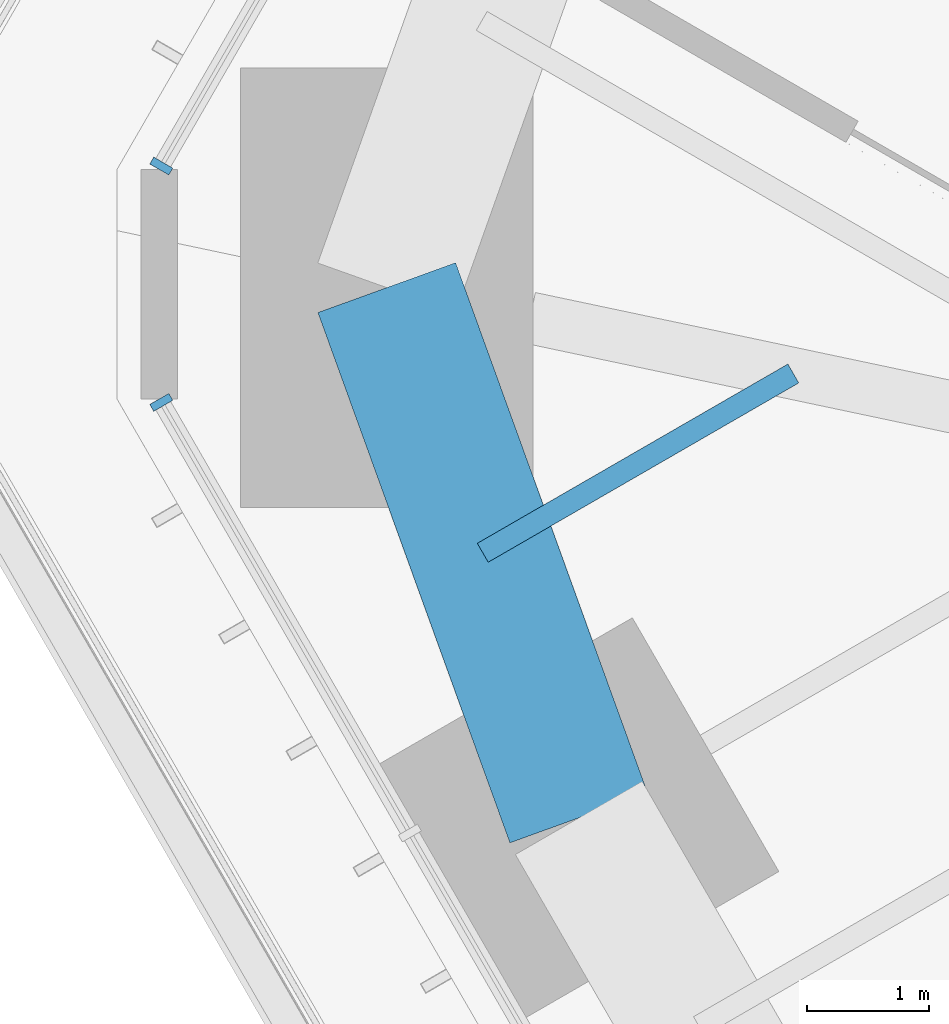
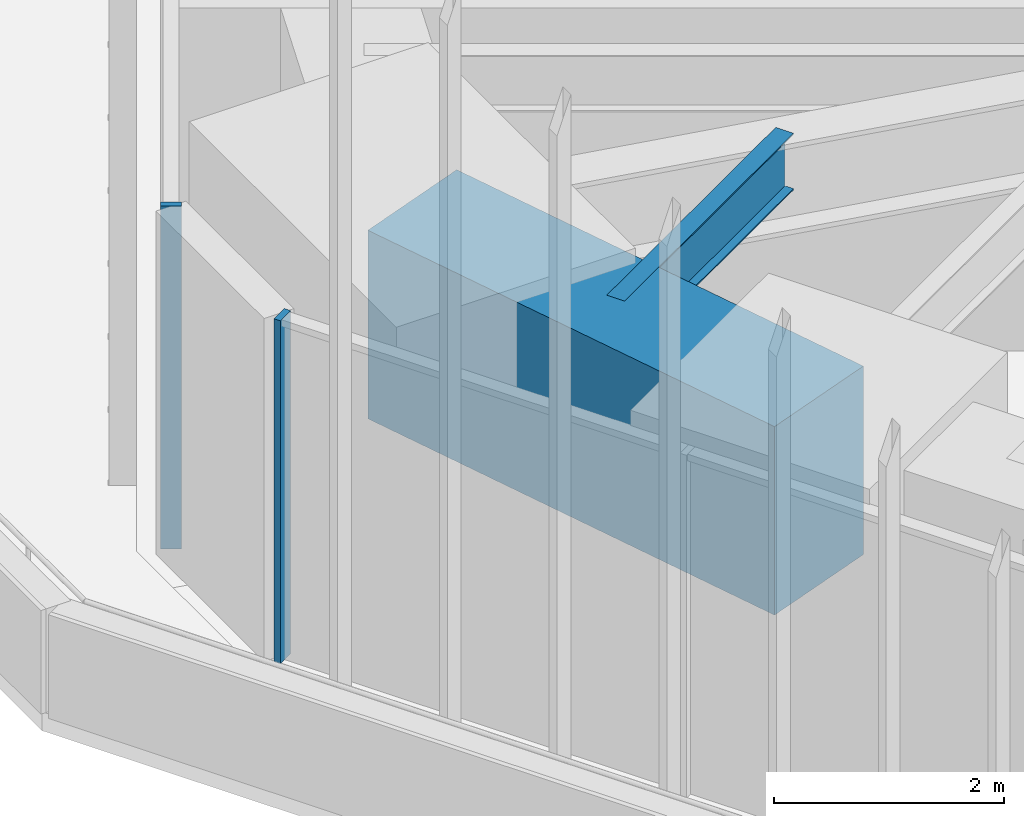
# One storey, part 123 of 238: 2 beams, 2 members, 2 elements without a shape of their own.
"""IFC4 building model written with IfcOpenShell, lengths in metres."""

import ifcopenshell
import ifcopenshell.guid

model = None  # the IFC model being written
_history = None  # IfcOwnerHistory: only IFC2X3 demands one
_inside = {}  # id of a spatial element -> (the spatial element, [elements in it])
_under = {}  # id of a project, library or spatial element -> (it, [spatial elements below it])
_declared = {}  # id of a project -> (the project, [libraries it declares])
_typed = {}  # id of a type object -> (the type object, [elements of that type])
_made_of = {}  # id of a material, layer set ... -> (it, [elements and type objects made of it])


def new_model(schema):
    """Start an empty IFC model of exactly this schema.

    Asked for "IFC4X3", IfcOpenShell would pick the latest addendum, in which some entities
    have other attributes; the version numbers below select the first issue.
    IFC2X3 requires an IfcOwnerHistory on every rooted entity: one is made here for all.
    """
    global model, _history
    if schema == "IFC4X3":
        model = ifcopenshell.file(schema_version=(4, 3, 0, 0))
    else:
        model = ifcopenshell.file(schema=schema)
    _inside.clear()
    _under.clear()
    _declared.clear()
    _typed.clear()
    _made_of.clear()
    _history = None
    if model.schema == "IFC2X3":
        org = make("IfcOrganization", Name="unknown")
        user = make(
            "IfcPersonAndOrganization",
            ThePerson=make("IfcPerson", FamilyName="unknown"),
            TheOrganization=org,
        )
        app = make(
            "IfcApplication",
            ApplicationDeveloper=org,
            Version="unknown",
            ApplicationFullName="unknown",
            ApplicationIdentifier="unknown",
        )
        _history = make(
            "IfcOwnerHistory",
            OwningUser=user,
            OwningApplication=app,
            ChangeAction="ADDED",
            CreationDate=0,
        )
    return model


def make(cls, **values):
    """One entity of the class cls with the attributes given. An attribute that is None is left unset."""
    return model.create_entity(
        cls, **{name: value for name, value in values.items() if value is not None}
    )


def rooted(cls, **values):
    """An entity with a GlobalId (a new one), such as an element, a storey or a relation."""
    return make(cls, GlobalId=ifcopenshell.guid.new(), OwnerHistory=_history, **values)


def si_unit(unit_type, name, prefix=None):
    """IfcSIUnit, for example si_unit("LENGTHUNIT", "METRE", prefix="MILLI")."""
    return make("IfcSIUnit", UnitType=unit_type, Prefix=prefix, Name=name)


def assignment(units):
    """IfcUnitAssignment: the units of a project."""
    return None if units is None else make("IfcUnitAssignment", Units=units)


def point(xyz):
    """IfcCartesianPoint."""
    return None if xyz is None else make("IfcCartesianPoint", Coordinates=xyz)


def direction(xyz):
    """IfcDirection."""
    return None if xyz is None else make("IfcDirection", DirectionRatios=xyz)


def frame(location, z_axis=None, x_axis=None):
    """IfcAxis2Placement3D, a coordinate frame: its origin and axes. An axis left out is left unset."""
    return make(
        "IfcAxis2Placement3D",
        Location=point(location),
        Axis=direction(z_axis),
        RefDirection=direction(x_axis),
    )


def frame_2d(location, x_axis=None):
    """IfcAxis2Placement2D, a coordinate frame in the plane: its origin and x axis."""
    return make(
        "IfcAxis2Placement2D", Location=point(location), RefDirection=direction(x_axis)
    )


def origin():
    """The frame at (0, 0, 0) with its axes left unset."""
    return frame((0.0, 0.0, 0.0))


def origin_2d():
    """The frame at (0, 0) in the plane with its x axis left unset."""
    return frame_2d((0.0, 0.0))


def place(relative_to, where):
    """IfcLocalPlacement: puts the frame where relative to a parent placement (None: the world)."""
    return make(
        "IfcLocalPlacement", PlacementRelTo=relative_to, RelativePlacement=where
    )


def context(
    kind, dimensions, precision=None, world=None, true_north=None, identifier=None
):
    """IfcGeometricRepresentationContext, for example the 3D "Model" context."""
    return make(
        "IfcGeometricRepresentationContext",
        ContextIdentifier=identifier,
        ContextType=kind,
        CoordinateSpaceDimension=dimensions,
        Precision=precision,
        WorldCoordinateSystem=world,
        TrueNorth=true_north,
    )


def subcontext(parent, identifier, kind, view, scale=None):
    """IfcGeometricRepresentationSubContext, for example "Body" below "Model"."""
    return make(
        "IfcGeometricRepresentationSubContext",
        ContextIdentifier=identifier,
        ContextType=kind,
        ParentContext=parent,
        TargetScale=scale,
        TargetView=view,
    )


def project(units=None, contexts=None):
    """IfcProject with its units and contexts."""
    return rooted(
        "IfcProject",
        Name="project",
        RepresentationContexts=contexts,
        UnitsInContext=assignment(units),
    )


def spatial(cls, under=None, at=None, **own):
    """A site, building, storey or space (cls), placed at a placement, below another one or the project."""
    s = rooted(cls, ObjectPlacement=at, **own)
    if under is not None:
        _under.setdefault(under.id(), (under, []))[1].append(s)
    return s


def profile(cls, at=None, kind="AREA", **sizes):
    """A parametric profile (cls). Its sizes go by their IFC names, for example OverallWidth=200.0."""
    return make(cls, ProfileType=kind, Position=at, **sizes)


def rectangle(**sizes):
    """IfcRectangleProfileDef."""
    return profile("IfcRectangleProfileDef", **sizes)


def i_section(**sizes):
    """IfcIShapeProfileDef."""
    return profile("IfcIShapeProfileDef", **sizes)


def extrude(swept, where, along, depth):
    """IfcExtrudedAreaSolid: the profile swept, set in the frame where, extruded along a direction by depth."""
    return make(
        "IfcExtrudedAreaSolid",
        SweptArea=swept,
        Position=where,
        ExtrudedDirection=direction(along),
        Depth=depth,
    )


def shape(context_of_items, identifier, shape_type, items):
    """IfcShapeRepresentation: the items that make up one representation, for example the "Body"."""
    return make(
        "IfcShapeRepresentation",
        ContextOfItems=context_of_items,
        RepresentationIdentifier=identifier,
        RepresentationType=shape_type,
        Items=items,
    )


def material(Name=None, Category=None):
    """IfcMaterial."""
    return make("IfcMaterial", Name=Name, Category=Category)


def material_profile(
    of_material, cross_section, Name=None, Category=None, Priority=None
):
    """IfcMaterialProfile: a cross section and its material."""
    return make(
        "IfcMaterialProfile",
        Name=Name,
        Material=of_material,
        Profile=cross_section,
        Priority=Priority,
        Category=Category,
    )


def profile_set(profiles, Name=None, composite=None):
    """IfcMaterialProfileSet."""
    return make(
        "IfcMaterialProfileSet",
        Name=Name,
        MaterialProfiles=profiles,
        CompositeProfile=composite,
    )


def made_of(thing, what):
    """Note that an element or type object is made of a material, layer set ...; save() writes the relation."""
    if what is not None:
        _made_of.setdefault(what.id(), (what, []))[1].append(thing)
    return thing


def type_object(cls, material=None, **own):
    """A type object (cls), such as IfcWallType, which elements share."""
    return made_of(rooted(cls, **own), material)


def element(
    cls,
    number,
    at=None,
    inside=None,
    cuts=None,
    type_object=None,
    material=None,
    context=None,
    identifier="Body",
    shape_type=None,
    held_by="IfcProductDefinitionShape",
    body=None,
    shapes=None,
    **own,
):
    """One element of the class cls, such as IfcWall. Its Tag is "e" and its number.

    at: its placement. inside: the storey or other place that contains it. cuts: it is an
    opening in that element (IfcRelVoidsElement). A single representation is given by context,
    identifier, shape_type and body (its items); several are given by shapes. held_by: the class
    of the entity that holds the representations. save() writes the other relations.
    """
    e = rooted(cls, Tag="e%d" % number, ObjectPlacement=at, **own)
    if body is not None:
        shapes = [shape(context, identifier, shape_type, body)]
    if shapes is not None:
        e.Representation = make(held_by, Representations=shapes)
    if inside is not None:
        _inside.setdefault(inside.id(), (inside, []))[1].append(e)
    if cuts is not None:
        rooted(
            "IfcRelVoidsElement", RelatingBuildingElement=cuts, RelatedOpeningElement=e
        )
    if type_object is not None:
        _typed.setdefault(type_object.id(), (type_object, []))[1].append(e)
    return made_of(e, material)


def aggregate(whole, parts):
    """IfcRelAggregates: a whole, such as a stair, and the parts it consists of."""
    return rooted("IfcRelAggregates", RelatingObject=whole, RelatedObjects=parts)


def save(model, path):
    """Write the relations noted so far, then the file.

    IfcRelAggregates (storeys below a building ...), IfcRelContainedInSpatialStructure (elements
    in a storey), IfcRelDefinesByType, IfcRelAssociatesMaterial and IfcRelDeclares: one each for
    every whole, place, type object, material and project.
    """
    for whole, parts in _under.values():
        aggregate(whole, parts)
    for where, things in _inside.values():
        rooted(
            "IfcRelContainedInSpatialStructure",
            RelatedElements=things,
            RelatingStructure=where,
        )
    for kind, things in _typed.values():
        rooted("IfcRelDefinesByType", RelatedObjects=things, RelatingType=kind)
    for what, things in _made_of.values():
        rooted("IfcRelAssociatesMaterial", RelatedObjects=things, RelatingMaterial=what)
    for by, libraries in _declared.values():
        rooted("IfcRelDeclares", RelatingContext=by, RelatedDefinitions=libraries)
    model.write(path)


model = new_model("IFC4")

# Units and contexts
model_context = context("Model", 3, precision=1e-05, world=origin(), true_north=direction((0.0, 1.0)))
body_context = subcontext(model_context, "Body", "Model", "MODEL_VIEW")
ifc_project = project(units=[si_unit("LENGTHUNIT", "METRE"), si_unit("AREAUNIT", "SQUARE_METRE"), si_unit("VOLUMEUNIT", "CUBIC_METRE"), si_unit("PLANEANGLEUNIT", "RADIAN"), si_unit("MASSUNIT", "GRAM", prefix="KILO")], contexts=[model_context])

# Site, building, storey
site_placement = place(None, origin())
site = spatial("IfcSite", under=ifc_project, at=site_placement, CompositionType="ELEMENT")
building_placement = place(site_placement, origin())
building = spatial("IfcBuilding", under=site, at=building_placement, Name="Sandreach Pilgrim Tower", CompositionType="ELEMENT")
storey_placement = place(building_placement, frame((0.0, 0.0, 96.800048828125)))
storey = spatial("IfcBuildingStorey", under=building, at=storey_placement, Name="L23", CompositionType="ELEMENT", Elevation=96.800048828125)

# Curtain wall, member
ifc_material_1 = material(Name="Aluminium framed curtain wall", Category="aluminium")
curtain_wall_type = type_object("IfcCurtainWallType", Name="Hotel tower curtain wall", PredefinedType="NOTDEFINED", material=ifc_material_1)
curtain_wall_1_placement = place(storey_placement, origin())
curtain_wall_1 = element("IfcCurtainWall", 1, at=curtain_wall_1_placement, inside=storey, type_object=curtain_wall_type, Name="CW-2 L23 SW", PredefinedType="NOTDEFINED")
ifc_material_2 = material(Name="Aluminium extrusion", Category="aluminium")
ifc_material_profile_1 = material_profile(ifc_material_2, rectangle(XDim=0.06494140625, YDim=0.179931640625, at=origin_2d()), Name="CW-2M 65X180")
ifc_profile_set_1 = profile_set([ifc_material_profile_1], Name="Aluminium extrusion")
member_type = type_object("IfcMemberType", Name="CW-2 mullion", PredefinedType="MULLION", material=ifc_profile_set_1)
member_1_placement = place(storey_placement, frame((-28.70458984375, 4.730224609375, 0.0), z_axis=(0.0, 0.0, 1.0), x_axis=(-0.5, 0.866025403784, 0.0)))
member_1 = element("IfcMember", 2, at=member_1_placement, type_object=member_type, Name="CW-2 mullion 10", PredefinedType="MULLION", context=body_context, shape_type="SweptSolid", body=[
    extrude(rectangle(XDim=0.06494140625, YDim=0.179931640625, at=origin_2d()), origin(), (0.0, 0.0, 1.0), 3.639892578125),
])
aggregate(curtain_wall_1, [member_1])

curtain_wall_2_placement = place(storey_placement, origin())
curtain_wall_2 = element("IfcCurtainWall", 3, at=curtain_wall_2_placement, inside=storey, type_object=curtain_wall_type, Name="CW-2 L23 NW", PredefinedType="NOTDEFINED")
member_2_placement = place(storey_placement, frame((-28.70458984375, 6.66650390625, 0.0), z_axis=(0.0, 0.0, 1.0), x_axis=(0.5, 0.866025403784, 0.0)))
member_2 = element("IfcMember", 4, at=member_2_placement, type_object=member_type, Name="CW-2 mullion 1", PredefinedType="MULLION", context=body_context, shape_type="SweptSolid", body=[
    extrude(rectangle(XDim=0.06494140625, YDim=0.179931640625, at=origin_2d()), origin(), (0.0, 0.0, 1.0), 3.639892578125),
])
aggregate(curtain_wall_2, [member_2])

# Beams
ifc_material_3 = material(Name="Steel ASTM A992 Grade 50", Category="steel")
ifc_material_profile_2 = material_profile(ifc_material_3, i_section(OverallWidth=0.1787109375, OverallDepth=0.60205078125, WebThickness=0.010986328125, FlangeThickness=0.014892578125, at=origin_2d()), Name="W24X62")
ifc_profile_set_2 = profile_set([ifc_material_profile_2], Name="Steel ASTM A992 Grade 50")
beam_type_1 = type_object("IfcBeamType", Name="Floor beam W24X62", PredefinedType="BEAM", material=ifc_profile_set_2)
beam_1_placement = place(storey_placement, frame((-26.070556640625, 3.498046875, 3.3388671875), z_axis=(0.866051374412, 0.499955014855, 0.0), x_axis=(-0.499955014855, 0.866051374412, 0.0)))
element("IfcBeam", 5, at=beam_1_placement, inside=storey, type_object=beam_type_1, Name="BM L23 FM34", PredefinedType="BEAM", context=body_context, shape_type="SweptSolid", body=[
    extrude(i_section(OverallWidth=0.1787109375, OverallDepth=0.60205078125, WebThickness=0.010986328125, FlangeThickness=0.014892578125, at=origin_2d()), origin(), (0.0, 0.0, 1.0), 2.938232421875),
])
ifc_material_4 = material(Name="Concrete 10000 psi", Category="concrete")
ifc_material_profile_3 = material_profile(ifc_material_4, rectangle(XDim=1.199951171875, YDim=2.0, at=origin_2d()), Name="RC1200X2000")
ifc_profile_set_3 = profile_set([ifc_material_profile_3], Name="Concrete 10000 psi")
beam_type_2 = type_object("IfcBeamType", Name="Spandrel beam RC1200X2000", PredefinedType="SPANDREL", material=ifc_profile_set_3)
beam_2_placement = place(storey_placement, frame((-25.283935546875, 1.325439453125, 2.639892578125), z_axis=(-0.340453163563, 0.940261476091, 0.0), x_axis=(-0.940261476091, -0.340453163563, 0.0)))
element("IfcBeam", 6, at=beam_2_placement, inside=storey, type_object=beam_type_2, Name="BM L23 SP34", PredefinedType="SPANDREL", context=body_context, shape_type="SweptSolid", body=[
    extrude(rectangle(XDim=1.199951171875, YDim=2.0, at=origin_2d()), origin(), (0.0, 0.0, 1.0), 4.62109375),
])

save(model, "model.ifc")
